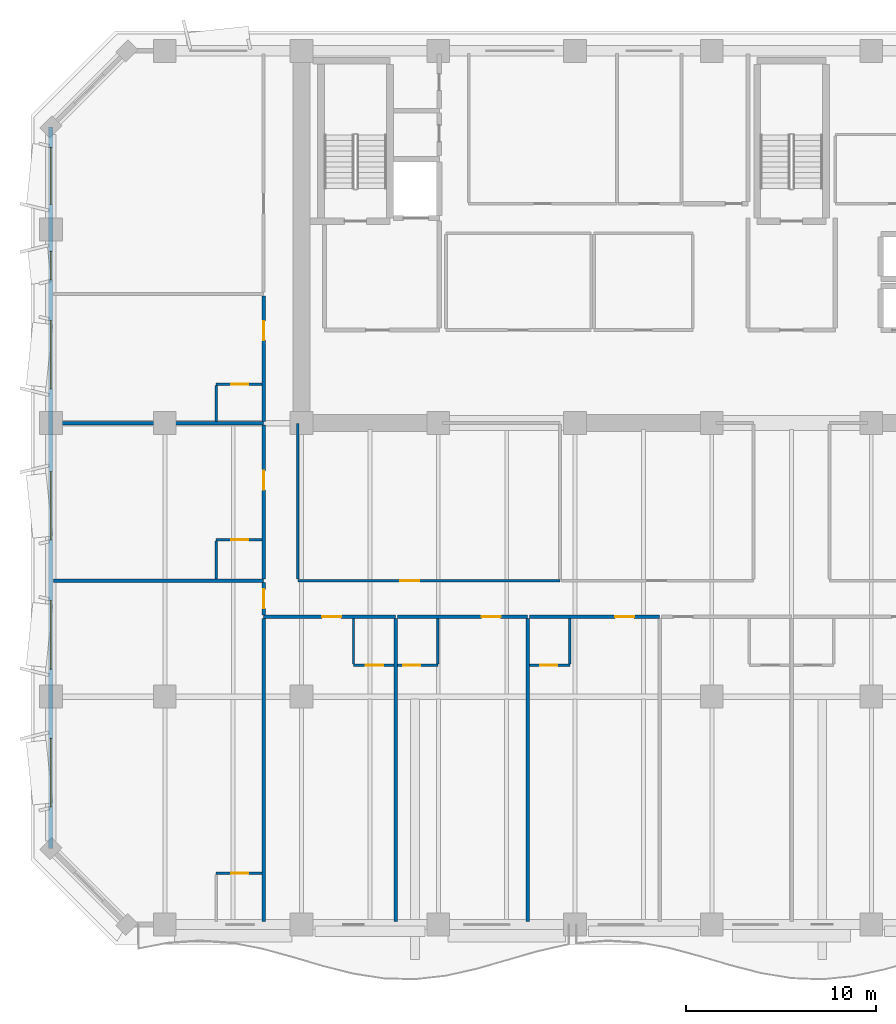
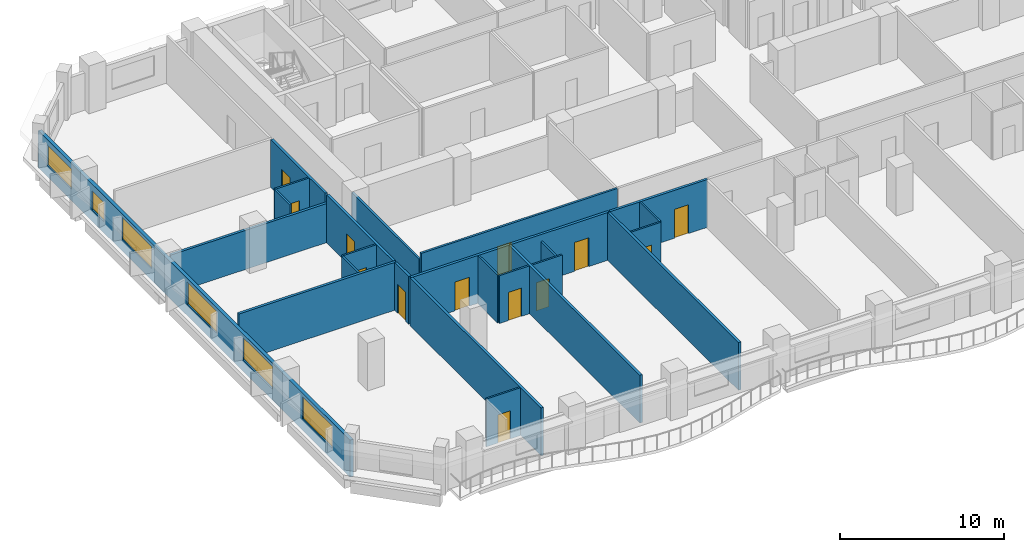
# One storey, part 4 of 14: 25 walls, 13 doors, 6 windows, 19 openings.
"""IFC4 building model written with IfcOpenShell, lengths in metres."""

import ifcopenshell
import ifcopenshell.guid

model = None  # the IFC model being written
_history = None  # IfcOwnerHistory: only IFC2X3 demands one
_inside = {}  # id of a spatial element -> (the spatial element, [elements in it])
_under = {}  # id of a project, library or spatial element -> (it, [spatial elements below it])
_declared = {}  # id of a project -> (the project, [libraries it declares])
_typed = {}  # id of a type object -> (the type object, [elements of that type])
_made_of = {}  # id of a material, layer set ... -> (it, [elements and type objects made of it])


def new_model(schema):
    """Start an empty IFC model of exactly this schema.

    Asked for "IFC4X3", IfcOpenShell would pick the latest addendum, in which some entities
    have other attributes; the version numbers below select the first issue.
    IFC2X3 requires an IfcOwnerHistory on every rooted entity: one is made here for all.
    """
    global model, _history
    if schema == "IFC4X3":
        model = ifcopenshell.file(schema_version=(4, 3, 0, 0))
    else:
        model = ifcopenshell.file(schema=schema)
    _inside.clear()
    _under.clear()
    _declared.clear()
    _typed.clear()
    _made_of.clear()
    _history = None
    if model.schema == "IFC2X3":
        org = make("IfcOrganization", Name="unknown")
        user = make(
            "IfcPersonAndOrganization",
            ThePerson=make("IfcPerson", FamilyName="unknown"),
            TheOrganization=org,
        )
        app = make(
            "IfcApplication",
            ApplicationDeveloper=org,
            Version="unknown",
            ApplicationFullName="unknown",
            ApplicationIdentifier="unknown",
        )
        _history = make(
            "IfcOwnerHistory",
            OwningUser=user,
            OwningApplication=app,
            ChangeAction="ADDED",
            CreationDate=0,
        )
    return model


def make(cls, **values):
    """One entity of the class cls with the attributes given. An attribute that is None is left unset."""
    return model.create_entity(
        cls, **{name: value for name, value in values.items() if value is not None}
    )


def rooted(cls, **values):
    """An entity with a GlobalId (a new one), such as an element, a storey or a relation."""
    return make(cls, GlobalId=ifcopenshell.guid.new(), OwnerHistory=_history, **values)


def si_unit(unit_type, name, prefix=None):
    """IfcSIUnit, for example si_unit("LENGTHUNIT", "METRE", prefix="MILLI")."""
    return make("IfcSIUnit", UnitType=unit_type, Prefix=prefix, Name=name)


def assignment(units):
    """IfcUnitAssignment: the units of a project."""
    return None if units is None else make("IfcUnitAssignment", Units=units)


def point(xyz):
    """IfcCartesianPoint."""
    return None if xyz is None else make("IfcCartesianPoint", Coordinates=xyz)


def direction(xyz):
    """IfcDirection."""
    return None if xyz is None else make("IfcDirection", DirectionRatios=xyz)


def frame(location, z_axis=None, x_axis=None):
    """IfcAxis2Placement3D, a coordinate frame: its origin and axes. An axis left out is left unset."""
    return make(
        "IfcAxis2Placement3D",
        Location=point(location),
        Axis=direction(z_axis),
        RefDirection=direction(x_axis),
    )


def frame_2d(location, x_axis=None):
    """IfcAxis2Placement2D, a coordinate frame in the plane: its origin and x axis."""
    return make(
        "IfcAxis2Placement2D", Location=point(location), RefDirection=direction(x_axis)
    )


def origin():
    """The frame at (0, 0, 0) with its axes left unset."""
    return frame((0.0, 0.0, 0.0))


def place(relative_to, where):
    """IfcLocalPlacement: puts the frame where relative to a parent placement (None: the world)."""
    return make(
        "IfcLocalPlacement", PlacementRelTo=relative_to, RelativePlacement=where
    )


def context(
    kind, dimensions, precision=None, world=None, true_north=None, identifier=None
):
    """IfcGeometricRepresentationContext, for example the 3D "Model" context."""
    return make(
        "IfcGeometricRepresentationContext",
        ContextIdentifier=identifier,
        ContextType=kind,
        CoordinateSpaceDimension=dimensions,
        Precision=precision,
        WorldCoordinateSystem=world,
        TrueNorth=true_north,
    )


def subcontext(parent, identifier, kind, view, scale=None):
    """IfcGeometricRepresentationSubContext, for example "Body" below "Model"."""
    return make(
        "IfcGeometricRepresentationSubContext",
        ContextIdentifier=identifier,
        ContextType=kind,
        ParentContext=parent,
        TargetScale=scale,
        TargetView=view,
    )


def project(units=None, contexts=None):
    """IfcProject with its units and contexts."""
    return rooted(
        "IfcProject",
        Name="project",
        RepresentationContexts=contexts,
        UnitsInContext=assignment(units),
    )


def spatial(cls, under=None, at=None, **own):
    """A site, building, storey or space (cls), placed at a placement, below another one or the project."""
    s = rooted(cls, ObjectPlacement=at, **own)
    if under is not None:
        _under.setdefault(under.id(), (under, []))[1].append(s)
    return s


def profile(cls, at=None, kind="AREA", **sizes):
    """A parametric profile (cls). Its sizes go by their IFC names, for example OverallWidth=200.0."""
    return make(cls, ProfileType=kind, Position=at, **sizes)


def rectangle(**sizes):
    """IfcRectangleProfileDef."""
    return profile("IfcRectangleProfileDef", **sizes)


def extrude(swept, where, along, depth):
    """IfcExtrudedAreaSolid: the profile swept, set in the frame where, extruded along a direction by depth."""
    return make(
        "IfcExtrudedAreaSolid",
        SweptArea=swept,
        Position=where,
        ExtrudedDirection=direction(along),
        Depth=depth,
    )


def shape(context_of_items, identifier, shape_type, items):
    """IfcShapeRepresentation: the items that make up one representation, for example the "Body"."""
    return make(
        "IfcShapeRepresentation",
        ContextOfItems=context_of_items,
        RepresentationIdentifier=identifier,
        RepresentationType=shape_type,
        Items=items,
    )


def material(Name=None, Category=None):
    """IfcMaterial."""
    return make("IfcMaterial", Name=Name, Category=Category)


def layer(
    of_material, thickness, ventilated=None, Name=None, Category=None, Priority=None
):
    """IfcMaterialLayer: one layer of a wall or slab, of a material (None: an air gap)."""
    return make(
        "IfcMaterialLayer",
        Material=of_material,
        LayerThickness=thickness,
        IsVentilated=ventilated,
        Name=Name,
        Category=Category,
        Priority=Priority,
    )


def layer_set(layers, Name=None):
    """IfcMaterialLayerSet."""
    return make("IfcMaterialLayerSet", MaterialLayers=layers, LayerSetName=Name)


def made_of(thing, what):
    """Note that an element or type object is made of a material, layer set ...; save() writes the relation."""
    if what is not None:
        _made_of.setdefault(what.id(), (what, []))[1].append(thing)
    return thing


def type_object(cls, material=None, **own):
    """A type object (cls), such as IfcWallType, which elements share."""
    return made_of(rooted(cls, **own), material)


def element(
    cls,
    number,
    at=None,
    inside=None,
    cuts=None,
    type_object=None,
    material=None,
    context=None,
    identifier="Body",
    shape_type=None,
    held_by="IfcProductDefinitionShape",
    body=None,
    shapes=None,
    **own,
):
    """One element of the class cls, such as IfcWall. Its Tag is "e" and its number.

    at: its placement. inside: the storey or other place that contains it. cuts: it is an
    opening in that element (IfcRelVoidsElement). A single representation is given by context,
    identifier, shape_type and body (its items); several are given by shapes. held_by: the class
    of the entity that holds the representations. save() writes the other relations.
    """
    e = rooted(cls, Tag="e%d" % number, ObjectPlacement=at, **own)
    if body is not None:
        shapes = [shape(context, identifier, shape_type, body)]
    if shapes is not None:
        e.Representation = make(held_by, Representations=shapes)
    if inside is not None:
        _inside.setdefault(inside.id(), (inside, []))[1].append(e)
    if cuts is not None:
        rooted(
            "IfcRelVoidsElement", RelatingBuildingElement=cuts, RelatedOpeningElement=e
        )
    if type_object is not None:
        _typed.setdefault(type_object.id(), (type_object, []))[1].append(e)
    return made_of(e, material)


def fill(opening, filler):
    """IfcRelFillsElement: the door or window that sits in an opening."""
    return rooted(
        "IfcRelFillsElement",
        RelatingOpeningElement=opening,
        RelatedBuildingElement=filler,
    )


def aggregate(whole, parts):
    """IfcRelAggregates: a whole, such as a stair, and the parts it consists of."""
    return rooted("IfcRelAggregates", RelatingObject=whole, RelatedObjects=parts)


def save(model, path):
    """Write the relations noted so far, then the file.

    IfcRelAggregates (storeys below a building ...), IfcRelContainedInSpatialStructure (elements
    in a storey), IfcRelDefinesByType, IfcRelAssociatesMaterial and IfcRelDeclares: one each for
    every whole, place, type object, material and project.
    """
    for whole, parts in _under.values():
        aggregate(whole, parts)
    for where, things in _inside.values():
        rooted(
            "IfcRelContainedInSpatialStructure",
            RelatedElements=things,
            RelatingStructure=where,
        )
    for kind, things in _typed.values():
        rooted("IfcRelDefinesByType", RelatedObjects=things, RelatingType=kind)
    for what, things in _made_of.values():
        rooted("IfcRelAssociatesMaterial", RelatedObjects=things, RelatingMaterial=what)
    for by, libraries in _declared.values():
        rooted("IfcRelDeclares", RelatingContext=by, RelatedDefinitions=libraries)
    model.write(path)


model = new_model("IFC4")

# Units and contexts
model_context = context("Model", 3, precision=1e-05, world=origin(), true_north=direction((0.0, 1.0)))
body_context = subcontext(model_context, "Body", "Model", "MODEL_VIEW")
ifc_project = project(units=[si_unit("LENGTHUNIT", "METRE"), si_unit("AREAUNIT", "SQUARE_METRE"), si_unit("VOLUMEUNIT", "CUBIC_METRE"), si_unit("PLANEANGLEUNIT", "RADIAN"), si_unit("MASSUNIT", "GRAM", prefix="KILO")], contexts=[model_context])

# Site, building, storey
site_placement = place(None, origin())
site = spatial("IfcSite", under=ifc_project, at=site_placement, CompositionType="ELEMENT")
building_placement = place(site_placement, origin())
building = spatial("IfcBuilding", under=site, at=building_placement, Name="Kaelvorn Grand Hotel", CompositionType="ELEMENT")
storey_placement = place(building_placement, frame((0.0, 0.0, 169.550048828125)))
storey = spatial("IfcBuildingStorey", under=building, at=storey_placement, Name="L41", CompositionType="ELEMENT", Elevation=169.550048828125)

# Wall, openings, windows
ifc_material_1 = material(Name="Concrete C40/50", Category="concrete")
ifc_layer_1 = layer(ifc_material_1, 0.239990234375)
ifc_layer_set_1 = layer_set([ifc_layer_1], Name="Concrete C40/50")
wall_type_1 = type_object("IfcWallType", Name="WL-EXT-240-C40", PredefinedType="SOLIDWALL", material=ifc_layer_set_1)
wall_1_placement = place(storey_placement, frame((3.0, 45.0, 0.0), z_axis=(0.0, 0.0, 1.0), x_axis=(0.0, -1.0, 0.0)))
wall_1 = element("IfcWall", 1, at=wall_1_placement, inside=storey, type_object=wall_type_1, Name="L41 Exterior Architectural Concrete Wall 07", PredefinedType="SOLIDWALL", context=body_context, shape_type="SweptSolid", body=[
    extrude(rectangle(XDim=38.0, YDim=0.239990234375, at=frame_2d((19.0, 0.0))), origin(), (0.0, 0.0, 1.0), 2.760009765625),
])
opening_1_placement = place(wall_1_placement, frame((32.199951171875, 0.0, 0.85009765625)))
opening_1 = element("IfcOpeningElement", 2, at=opening_1_placement, cuts=wall_1, Name="Opening W3", PredefinedType="OPENING", context=body_context, shape_type="SweptSolid", body=[
    extrude(rectangle(XDim=3.60009765625, YDim=1.64990234375, at=frame_2d((1.800048828125, 0.824951171875))), frame((0.0, 0.1298828125, 0.0), z_axis=(0.0, -1.0, 0.0), x_axis=(1.0, 0.0, 0.0)), (0.0, 0.0, 1.0), 0.260009765625),
])
opening_2_placement = place(wall_1_placement, frame((24.949951171875, 0.0, 0.85009765625)))
opening_2 = element("IfcOpeningElement", 3, at=opening_2_placement, cuts=wall_1, Name="Opening W3", PredefinedType="OPENING", context=body_context, shape_type="SweptSolid", body=[
    extrude(rectangle(XDim=3.60009765625, YDim=1.64990234375, at=frame_2d((1.800048828125, 0.824951171875))), frame((0.0, 0.1298828125, 0.0), z_axis=(0.0, -1.0, 0.0), x_axis=(1.0, 0.0, 0.0)), (0.0, 0.0, 1.0), 0.260009765625),
])
opening_3_placement = place(wall_1_placement, frame((18.14990234375, 0.0, 0.85009765625)))
opening_3 = element("IfcOpeningElement", 4, at=opening_3_placement, cuts=wall_1, Name="Opening W3", PredefinedType="OPENING", context=body_context, shape_type="SweptSolid", body=[
    extrude(rectangle(XDim=3.60009765625, YDim=1.64990234375, at=frame_2d((1.800048828125, 0.824951171875))), frame((0.0, 0.1298828125, 0.0), z_axis=(0.0, -1.0, 0.0), x_axis=(1.0, 0.0, 0.0)), (0.0, 0.0, 1.0), 0.260009765625),
])
opening_4_placement = place(wall_1_placement, frame((10.199951171875, 0.0, 0.85009765625)))
opening_4 = element("IfcOpeningElement", 5, at=opening_4_placement, cuts=wall_1, Name="Opening W3", PredefinedType="OPENING", context=body_context, shape_type="SweptSolid", body=[
    extrude(rectangle(XDim=3.60009765625, YDim=1.64990234375, at=frame_2d((1.800048828125, 0.824951171875))), frame((0.0, 0.1298828125, 0.0), z_axis=(0.0, -1.0, 0.0), x_axis=(1.0, 0.0, 0.0)), (0.0, 0.0, 1.0), 0.260009765625),
])
opening_5_placement = place(wall_1_placement, frame((6.550048828125, 0.0, 0.85009765625)))
opening_5 = element("IfcOpeningElement", 6, at=opening_5_placement, cuts=wall_1, Name="Opening W10", PredefinedType="OPENING", context=body_context, shape_type="SweptSolid", body=[
    extrude(rectangle(XDim=1.5, YDim=1.39990234375, at=frame_2d((0.75, 0.699951171875))), frame((0.0, 0.1298828125, 0.0), z_axis=(0.0, -1.0, 0.0), x_axis=(1.0, 0.0, 0.0)), (0.0, 0.0, 1.0), 0.260009765625),
])
opening_6_placement = place(wall_1_placement, frame((1.0849609375, 0.0, 0.85009765625)))
opening_6 = element("IfcOpeningElement", 7, at=opening_6_placement, cuts=wall_1, Name="Opening W5", PredefinedType="OPENING", context=body_context, shape_type="SweptSolid", body=[
    extrude(rectangle(XDim=3.0, YDim=1.5, at=frame_2d((1.5, 0.75))), frame((0.0, 0.1298828125, 0.0), z_axis=(0.0, -1.0, 0.0), x_axis=(1.0, 0.0, 0.0)), (0.0, 0.0, 1.0), 0.260009765625),
])
ifc_material_2 = material(Name="Laminated Low-E Glass", Category="glass")
window_type_1 = type_object("IfcWindowType", Name="WIN-COR-1500x1400", PartitioningType="SINGLE_PANEL", PredefinedType="WINDOW", material=ifc_material_2)
window_1_placement = place(opening_5_placement, origin())
window_1 = element("IfcWindow", 8, at=window_1_placement, inside=storey, type_object=window_type_1, Name="L41 W Wing Tilted-Frame Ribbon Window W05", OverallHeight=1.39990234375, OverallWidth=1.5, PartitioningType="SINGLE_PANEL", PredefinedType="WINDOW", context=body_context, shape_type="SweptSolid", body=[
    extrude(rectangle(XDim=1.5, YDim=1.39990234375, at=frame_2d((0.75, 0.699951171875))), frame((0.0, 0.030029296875, 0.0), z_axis=(0.0, -1.0, 0.0), x_axis=(1.0, 0.0, 0.0)), (0.0, 0.0, 1.0), 0.06005859375),
])
fill(opening_5, window_1)
window_type_2 = type_object("IfcWindowType", Name="WIN-NTH-3000x1500", PartitioningType="SINGLE_PANEL", PredefinedType="WINDOW", material=ifc_material_2)
window_2_placement = place(opening_6_placement, origin())
window_2 = element("IfcWindow", 9, at=window_2_placement, inside=storey, type_object=window_type_2, Name="L41 W Wing Tilted-Frame Ribbon Window W06", OverallHeight=1.5, OverallWidth=3.0, PartitioningType="SINGLE_PANEL", PredefinedType="WINDOW", context=body_context, shape_type="SweptSolid", body=[
    extrude(rectangle(XDim=3.0, YDim=1.5, at=frame_2d((1.5, 0.75))), frame((0.0, 0.030029296875, 0.0), z_axis=(0.0, -1.0, 0.0), x_axis=(1.0, 0.0, 0.0)), (0.0, 0.0, 1.0), 0.06005859375),
])
fill(opening_6, window_2)
window_type_3 = type_object("IfcWindowType", Name="WIN-RIB-3600x1750", PartitioningType="SINGLE_PANEL", PredefinedType="WINDOW", material=ifc_material_2)
window_3_placement = place(opening_1_placement, origin())
window_3 = element("IfcWindow", 10, at=window_3_placement, inside=storey, type_object=window_type_3, Name="L41 W Wing Tilted-Frame Ribbon Window W01", OverallHeight=1.64990234375, OverallWidth=3.60009765625, PartitioningType="SINGLE_PANEL", PredefinedType="WINDOW", context=body_context, shape_type="SweptSolid", body=[
    extrude(rectangle(XDim=3.60009765625, YDim=1.64990234375, at=frame_2d((1.800048828125, 0.824951171875))), frame((0.0, 0.030029296875, 0.0), z_axis=(0.0, -1.0, 0.0), x_axis=(1.0, 0.0, 0.0)), (0.0, 0.0, 1.0), 0.06005859375),
])
fill(opening_1, window_3)
window_4_placement = place(opening_2_placement, origin())
window_4 = element("IfcWindow", 11, at=window_4_placement, inside=storey, type_object=window_type_3, Name="L41 W Wing Tilted-Frame Ribbon Window W02", OverallHeight=1.64990234375, OverallWidth=3.60009765625, PartitioningType="SINGLE_PANEL", PredefinedType="WINDOW", context=body_context, shape_type="SweptSolid", body=[
    extrude(rectangle(XDim=3.60009765625, YDim=1.64990234375, at=frame_2d((1.800048828125, 0.824951171875))), frame((0.0, 0.030029296875, 0.0), z_axis=(0.0, -1.0, 0.0), x_axis=(1.0, 0.0, 0.0)), (0.0, 0.0, 1.0), 0.06005859375),
])
fill(opening_2, window_4)
window_5_placement = place(opening_3_placement, origin())
window_5 = element("IfcWindow", 12, at=window_5_placement, inside=storey, type_object=window_type_3, Name="L41 W Wing Tilted-Frame Ribbon Window W03", OverallHeight=1.64990234375, OverallWidth=3.60009765625, PartitioningType="SINGLE_PANEL", PredefinedType="WINDOW", context=body_context, shape_type="SweptSolid", body=[
    extrude(rectangle(XDim=3.60009765625, YDim=1.64990234375, at=frame_2d((1.800048828125, 0.824951171875))), frame((0.0, 0.030029296875, 0.0), z_axis=(0.0, -1.0, 0.0), x_axis=(1.0, 0.0, 0.0)), (0.0, 0.0, 1.0), 0.06005859375),
])
fill(opening_3, window_5)
window_6_placement = place(opening_4_placement, origin())
window_6 = element("IfcWindow", 13, at=window_6_placement, inside=storey, type_object=window_type_3, Name="L41 W Wing Tilted-Frame Ribbon Window W04", OverallHeight=1.64990234375, OverallWidth=3.60009765625, PartitioningType="SINGLE_PANEL", PredefinedType="WINDOW", context=body_context, shape_type="SweptSolid", body=[
    extrude(rectangle(XDim=3.60009765625, YDim=1.64990234375, at=frame_2d((1.800048828125, 0.824951171875))), frame((0.0, 0.030029296875, 0.0), z_axis=(0.0, -1.0, 0.0), x_axis=(1.0, 0.0, 0.0)), (0.0, 0.0, 1.0), 0.06005859375),
])
fill(opening_4, window_6)

# Wall, opening, door
ifc_material_3 = material(Name="Moisture-Resistant Tile & Stud Board")
ifc_layer_2 = layer(ifc_material_3, 0.125)
ifc_layer_set_2 = layer_set([ifc_layer_2], Name="Moisture-Resistant Tile & Stud Board")
wall_type_2 = type_object("IfcWallType", Name="WL-PART-125-WET", PredefinedType="PARTITIONING", material=ifc_layer_set_2)
wall_2_placement = place(storey_placement, frame((18.929931640625, 16.64990234375, 0.0), z_axis=(0.0, 0.0, 1.0), x_axis=(1.0, 0.0, 0.0)))
wall_2 = element("IfcWall", 14, at=wall_2_placement, inside=storey, type_object=wall_type_2, Name="L41 En-suite Bathroom L41-01 S Partition", PredefinedType="PARTITIONING", context=body_context, shape_type="SweptSolid", body=[
    extrude(rectangle(XDim=2.125, YDim=0.125, at=frame_2d((1.0625, 0.0))), origin(), (0.0, 0.0, 1.0), 3.56005859375),
])
opening_7_placement = place(wall_2_placement, frame((0.659912109375, 0.0, 0.0)))
opening_7 = element("IfcOpeningElement", 15, at=opening_7_placement, cuts=wall_2, Name="Opening DI4", PredefinedType="OPENING", context=body_context, shape_type="SweptSolid", body=[
    extrude(rectangle(XDim=0.89990234375, YDim=2.10009765625, at=frame_2d((0.449951171875, 1.050048828125))), frame((0.0, 0.072509765625, 0.0), z_axis=(0.0, -1.0, 0.0), x_axis=(1.0, 0.0, 0.0)), (0.0, 0.0, 1.0), 0.14501953125),
])
ifc_material_4 = material(Name="Timber Veneer Leaf", Category="wood")
door_type_1 = type_object("IfcDoorType", Name="DR-INT-BATH-900x2100", OperationType="NOTDEFINED", PredefinedType="DOOR", material=ifc_material_4)
door_1_placement = place(opening_7_placement, origin())
door_1 = element("IfcDoor", 16, at=door_1_placement, inside=storey, type_object=door_type_1, Name="L41 En-suite Bathroom L41-01 Door", OperationType="SINGLE_SWING_RIGHT", OverallHeight=2.10009765625, OverallWidth=0.89990234375, PredefinedType="DOOR", context=body_context, shape_type="SweptSolid", body=[
    extrude(rectangle(XDim=0.89990234375, YDim=2.10009765625, at=frame_2d((0.449951171875, 1.050048828125))), frame((0.0, 0.02490234375, 0.0), z_axis=(0.0, -1.0, 0.0), x_axis=(1.0, 0.0, 0.0)), (0.0, 0.0, 1.0), 0.050048828125),
])
fill(opening_7, door_1)

# Wall
wall_3_placement = place(storey_placement, frame((18.929931640625, 16.717529296875, 0.0), z_axis=(0.0, 0.0, 1.0), x_axis=(0.0, 1.0, 0.0)))
element("IfcWall", 17, at=wall_3_placement, inside=storey, type_object=wall_type_2, Name="L41 En-suite Bathroom L41-01 W Partition", PredefinedType="PARTITIONING", context=body_context, shape_type="SweptSolid", body=[
    extrude(rectangle(XDim=2.387451171875, YDim=0.125, at=frame_2d((1.19384765625, 0.0))), origin(), (0.0, 0.0, 1.0), 3.56005859375),
])

# Wall, opening, door
wall_4_placement = place(storey_placement, frame((21.2451171875, 16.64990234375, 0.0), z_axis=(0.0, 0.0, 1.0), x_axis=(1.0, 0.0, 0.0)))
wall_4 = element("IfcWall", 18, at=wall_4_placement, inside=storey, type_object=wall_type_2, Name="L41 En-suite Bathroom L41-02 S Partition", PredefinedType="PARTITIONING", context=body_context, shape_type="SweptSolid", body=[
    extrude(rectangle(XDim=2.125, YDim=0.125, at=frame_2d((1.0625, 0.0))), origin(), (0.0, 0.0, 1.0), 3.56005859375),
])
opening_8_placement = place(wall_4_placement, frame((0.31494140625, 0.0, 0.0)))
opening_8 = element("IfcOpeningElement", 19, at=opening_8_placement, cuts=wall_4, Name="Opening DI4", PredefinedType="OPENING", context=body_context, shape_type="SweptSolid", body=[
    extrude(rectangle(XDim=0.89990234375, YDim=2.10009765625, at=frame_2d((0.449951171875, 1.050048828125))), frame((0.0, 0.072509765625, 0.0), z_axis=(0.0, -1.0, 0.0), x_axis=(1.0, 0.0, 0.0)), (0.0, 0.0, 1.0), 0.14501953125),
])
door_2_placement = place(opening_8_placement, origin())
door_2 = element("IfcDoor", 20, at=door_2_placement, inside=storey, type_object=door_type_1, Name="L41 En-suite Bathroom L41-02 Door", OperationType="SINGLE_SWING_RIGHT", OverallHeight=2.10009765625, OverallWidth=0.89990234375, PredefinedType="DOOR", context=body_context, shape_type="SweptSolid", body=[
    extrude(rectangle(XDim=0.89990234375, YDim=2.10009765625, at=frame_2d((0.449951171875, 1.050048828125))), frame((0.0, 0.02490234375, 0.0), z_axis=(0.0, -1.0, 0.0), x_axis=(1.0, 0.0, 0.0)), (0.0, 0.0, 1.0), 0.050048828125),
])
fill(opening_8, door_2)

# Wall
wall_5_placement = place(storey_placement, frame((23.3701171875, 16.717529296875, 0.0), z_axis=(0.0, 0.0, 1.0), x_axis=(0.0, 1.0, 0.0)))
element("IfcWall", 21, at=wall_5_placement, inside=storey, type_object=wall_type_2, Name="L41 En-suite Bathroom L41-02 E Partition", PredefinedType="PARTITIONING", context=body_context, shape_type="SweptSolid", body=[
    extrude(rectangle(XDim=2.387451171875, YDim=0.125, at=frame_2d((1.19384765625, 0.0))), origin(), (0.0, 0.0, 1.0), 3.06005859375),
])

# Wall, opening, door
wall_6_placement = place(storey_placement, frame((28.195068359375, 16.64990234375, 0.0), z_axis=(0.0, 0.0, 1.0), x_axis=(1.0, 0.0, 0.0)))
wall_6 = element("IfcWall", 22, at=wall_6_placement, inside=storey, type_object=wall_type_2, Name="L41 En-suite Bathroom L41-03 S Partition", PredefinedType="PARTITIONING", context=body_context, shape_type="SweptSolid", body=[
    extrude(rectangle(XDim=2.125, YDim=0.125, at=frame_2d((1.0625, 0.0))), origin(), (0.0, 0.0, 1.0), 3.56005859375),
])
opening_9_placement = place(wall_6_placement, frame((0.56494140625, 0.0, 0.0)))
opening_9 = element("IfcOpeningElement", 23, at=opening_9_placement, cuts=wall_6, Name="Opening DI4", PredefinedType="OPENING", context=body_context, shape_type="SweptSolid", body=[
    extrude(rectangle(XDim=0.89990234375, YDim=2.10009765625, at=frame_2d((0.449951171875, 1.050048828125))), frame((0.0, 0.072509765625, 0.0), z_axis=(0.0, -1.0, 0.0), x_axis=(1.0, 0.0, 0.0)), (0.0, 0.0, 1.0), 0.14501953125),
])
door_3_placement = place(opening_9_placement, origin())
door_3 = element("IfcDoor", 24, at=door_3_placement, inside=storey, type_object=door_type_1, Name="L41 En-suite Bathroom L41-03 Door", OperationType="SINGLE_SWING_RIGHT", OverallHeight=2.10009765625, OverallWidth=0.89990234375, PredefinedType="DOOR", context=body_context, shape_type="SweptSolid", body=[
    extrude(rectangle(XDim=0.89990234375, YDim=2.10009765625, at=frame_2d((0.449951171875, 1.050048828125))), frame((0.0, 0.02490234375, 0.0), z_axis=(0.0, -1.0, 0.0), x_axis=(1.0, 0.0, 0.0)), (0.0, 0.0, 1.0), 0.050048828125),
])
fill(opening_9, door_3)

# Wall
wall_7_placement = place(storey_placement, frame((30.320068359375, 16.717529296875, 0.0), z_axis=(0.0, 0.0, 1.0), x_axis=(0.0, 1.0, 0.0)))
element("IfcWall", 25, at=wall_7_placement, inside=storey, type_object=wall_type_2, Name="L41 En-suite Bathroom L41-03 E Partition", PredefinedType="PARTITIONING", context=body_context, shape_type="SweptSolid", body=[
    extrude(rectangle(XDim=2.387451171875, YDim=0.125, at=frame_2d((1.19384765625, 0.0))), origin(), (0.0, 0.0, 1.0), 3.56005859375),
])

# Wall, opening, door
wall_8_placement = place(storey_placement, frame((11.699951171875, 5.699951171875, 0.0), z_axis=(0.0, 0.0, 1.0), x_axis=(1.0, 0.0, 0.0)))
wall_8 = element("IfcWall", 26, at=wall_8_placement, inside=storey, type_object=wall_type_2, Name="L41 En-suite Bathroom L41-09 N Partition", PredefinedType="PARTITIONING", context=body_context, shape_type="SweptSolid", body=[
    extrude(rectangle(XDim=2.405029296875, YDim=0.125, at=frame_2d((1.20263671875, 0.0))), origin(), (0.0, 0.0, 1.0), 3.56005859375),
])
opening_10_placement = place(wall_8_placement, frame((0.800048828125, 0.0, 0.0)))
opening_10 = element("IfcOpeningElement", 27, at=opening_10_placement, cuts=wall_8, Name="Opening DI4", PredefinedType="OPENING", context=body_context, shape_type="SweptSolid", body=[
    extrude(rectangle(XDim=0.89990234375, YDim=2.10009765625, at=frame_2d((0.449951171875, 1.050048828125))), frame((0.0, 0.072509765625, 0.0), z_axis=(0.0, -1.0, 0.0), x_axis=(1.0, 0.0, 0.0)), (0.0, 0.0, 1.0), 0.14501953125),
])
door_4_placement = place(opening_10_placement, origin())
door_4 = element("IfcDoor", 28, at=door_4_placement, inside=storey, type_object=door_type_1, Name="L41 En-suite Bathroom L41-09 Door", OperationType="SINGLE_SWING_RIGHT", OverallHeight=2.10009765625, OverallWidth=0.89990234375, PredefinedType="DOOR", context=body_context, shape_type="SweptSolid", body=[
    extrude(rectangle(XDim=0.89990234375, YDim=2.10009765625, at=frame_2d((0.449951171875, 1.050048828125))), frame((0.0, 0.02490234375, 0.0), z_axis=(0.0, -1.0, 0.0), x_axis=(1.0, 0.0, 0.0)), (0.0, 0.0, 1.0), 0.050048828125),
])
fill(opening_10, door_4)

wall_9_placement = place(storey_placement, frame((11.699951171875, 23.260009765625, 0.0), z_axis=(0.0, 0.0, 1.0), x_axis=(1.0, 0.0, 0.0)))
wall_9 = element("IfcWall", 29, at=wall_9_placement, inside=storey, type_object=wall_type_2, Name="L41 En-suite Bathroom L41-10 N Partition", PredefinedType="PARTITIONING", context=body_context, shape_type="SweptSolid", body=[
    extrude(rectangle(XDim=2.405029296875, YDim=0.125, at=frame_2d((1.20263671875, 0.0))), origin(), (0.0, 0.0, 1.0), 3.56005859375),
])
opening_11_placement = place(wall_9_placement, frame((0.800048828125, 0.0, 0.0)))
opening_11 = element("IfcOpeningElement", 30, at=opening_11_placement, cuts=wall_9, Name="Opening DI4", PredefinedType="OPENING", context=body_context, shape_type="SweptSolid", body=[
    extrude(rectangle(XDim=0.89990234375, YDim=2.10009765625, at=frame_2d((0.449951171875, 1.050048828125))), frame((0.0, 0.072509765625, 0.0), z_axis=(0.0, -1.0, 0.0), x_axis=(1.0, 0.0, 0.0)), (0.0, 0.0, 1.0), 0.14501953125),
])
door_5_placement = place(opening_11_placement, origin())
door_5 = element("IfcDoor", 31, at=door_5_placement, inside=storey, type_object=door_type_1, Name="L41 En-suite Bathroom L41-10 Door", OperationType="SINGLE_SWING_RIGHT", OverallHeight=2.10009765625, OverallWidth=0.89990234375, PredefinedType="DOOR", context=body_context, shape_type="SweptSolid", body=[
    extrude(rectangle(XDim=0.89990234375, YDim=2.10009765625, at=frame_2d((0.449951171875, 1.050048828125))), frame((0.0, 0.02490234375, 0.0), z_axis=(0.0, -1.0, 0.0), x_axis=(1.0, 0.0, 0.0)), (0.0, 0.0, 1.0), 0.050048828125),
])
fill(opening_11, door_5)

# Wall
wall_10_placement = place(storey_placement, frame((11.699951171875, 21.195068359375, 0.0), z_axis=(0.0, 0.0, 1.0), x_axis=(0.0, 1.0, 0.0)))
element("IfcWall", 32, at=wall_10_placement, inside=storey, type_object=wall_type_2, Name="L41 En-suite Bathroom L41-10 W Partition", PredefinedType="PARTITIONING", context=body_context, shape_type="SweptSolid", body=[
    extrude(rectangle(XDim=1.997314453125, YDim=0.125, at=frame_2d((0.99853515625, 0.0))), origin(), (0.0, 0.0, 1.0), 3.56005859375),
])

# Wall, opening, door
wall_11_placement = place(storey_placement, frame((11.699951171875, 31.449951171875, 0.0), z_axis=(0.0, 0.0, 1.0), x_axis=(1.0, 0.0, 0.0)))
wall_11 = element("IfcWall", 33, at=wall_11_placement, inside=storey, type_object=wall_type_2, Name="L41 En-suite Bathroom L41-13 N Partition", PredefinedType="PARTITIONING", context=body_context, shape_type="SweptSolid", body=[
    extrude(rectangle(XDim=2.405029296875, YDim=0.125, at=frame_2d((1.20263671875, 0.0))), origin(), (0.0, 0.0, 1.0), 3.56005859375),
])
opening_12_placement = place(wall_11_placement, frame((0.800048828125, 0.0, 0.0)))
opening_12 = element("IfcOpeningElement", 34, at=opening_12_placement, cuts=wall_11, Name="Opening DI4", PredefinedType="OPENING", context=body_context, shape_type="SweptSolid", body=[
    extrude(rectangle(XDim=0.89990234375, YDim=2.10009765625, at=frame_2d((0.449951171875, 1.050048828125))), frame((0.0, 0.072509765625, 0.0), z_axis=(0.0, -1.0, 0.0), x_axis=(1.0, 0.0, 0.0)), (0.0, 0.0, 1.0), 0.14501953125),
])
door_6_placement = place(opening_12_placement, origin())
door_6 = element("IfcDoor", 35, at=door_6_placement, inside=storey, type_object=door_type_1, Name="L41 En-suite Bathroom L41-13 Door", OperationType="SINGLE_SWING_RIGHT", OverallHeight=2.10009765625, OverallWidth=0.89990234375, PredefinedType="DOOR", context=body_context, shape_type="SweptSolid", body=[
    extrude(rectangle(XDim=0.89990234375, YDim=2.10009765625, at=frame_2d((0.449951171875, 1.050048828125))), frame((0.0, 0.02490234375, 0.0), z_axis=(0.0, -1.0, 0.0), x_axis=(1.0, 0.0, 0.0)), (0.0, 0.0, 1.0), 0.050048828125),
])
fill(opening_12, door_6)

# Wall
wall_12_placement = place(storey_placement, frame((11.699951171875, 29.4951171875, 0.0), z_axis=(0.0, 0.0, 1.0), x_axis=(0.0, 1.0, 0.0)))
element("IfcWall", 36, at=wall_12_placement, inside=storey, type_object=wall_type_2, Name="L41 En-suite Bathroom L41-13 W Partition", PredefinedType="PARTITIONING", context=body_context, shape_type="SweptSolid", body=[
    extrude(rectangle(XDim=1.887451171875, YDim=0.125, at=frame_2d((0.94384765625, 0.0))), origin(), (0.0, 0.0, 1.0), 3.56005859375),
])

# Wall, opening, door
ifc_material_5 = material(Name="Acoustic Gypsum & Stud Partition")
ifc_layer_3 = layer(ifc_material_5, 0.14990234375)
ifc_layer_set_3 = layer_set([ifc_layer_3], Name="Acoustic Gypsum & Stud Partition")
wall_type_3 = type_object("IfcWallType", Name="WL-PART-150-EI60", PredefinedType="PARTITIONING", material=ifc_layer_set_3)
wall_13_placement = place(storey_placement, frame((16.0, 21.10009765625, 0.0), z_axis=(0.0, 0.0, 1.0), x_axis=(1.0, 0.0, 0.0)))
wall_13 = element("IfcWall", 37, at=wall_13_placement, inside=storey, type_object=wall_type_3, Name="L41 Wellness Spa Salon S Partition", PredefinedType="PARTITIONING", context=body_context, shape_type="SweptSolid", body=[
    extrude(rectangle(XDim=13.800048828125, YDim=0.14990234375, at=frame_2d((6.89990234375, 0.0))), origin(), (0.0, 0.0, 1.0), 3.56005859375),
])
opening_13_placement = place(wall_13_placement, frame((5.39990234375, 0.0, 0.0)))
opening_13 = element("IfcOpeningElement", 38, at=opening_13_placement, cuts=wall_13, Name="Opening DI3", PredefinedType="OPENING", context=body_context, shape_type="SweptSolid", body=[
    extrude(rectangle(XDim=1.0, YDim=2.14990234375, at=frame_2d((0.5, 1.074951171875))), frame((0.0, 0.0849609375, 0.0), z_axis=(0.0, -1.0, 0.0), x_axis=(1.0, 0.0, 0.0)), (0.0, 0.0, 1.0), 0.169921875),
])
ifc_material_6 = material(Name="Timber Veneer Fire Leaf", Category="wood")
door_type_2 = type_object("IfcDoorType", Name="DR-INT-GUEST-1000x2150", OperationType="NOTDEFINED", PredefinedType="DOOR", material=ifc_material_6)
door_7_placement = place(opening_13_placement, origin())
door_7 = element("IfcDoor", 39, at=door_7_placement, inside=storey, type_object=door_type_2, Name="L41 Wellness Spa Salon Door", OperationType="SINGLE_SWING_LEFT", OverallHeight=2.14990234375, OverallWidth=1.0, PredefinedType="DOOR", context=body_context, shape_type="SweptSolid", body=[
    extrude(rectangle(XDim=1.0, YDim=2.14990234375, at=frame_2d((0.5, 1.074951171875))), frame((0.0, 0.02490234375, 0.0), z_axis=(0.0, -1.0, 0.0), x_axis=(1.0, 0.0, 0.0)), (0.0, 0.0, 1.0), 0.050048828125),
])
fill(opening_13, door_7)

# Wall
wall_14_placement = place(storey_placement, frame((16.0, 21.179931640625, 0.0), z_axis=(0.0, 0.0, 1.0), x_axis=(0.0, 1.0, 0.0)))
element("IfcWall", 40, at=wall_14_placement, inside=storey, type_object=wall_type_3, Name="L41 Wellness Spa Salon W Partition", PredefinedType="PARTITIONING", context=body_context, shape_type="SweptSolid", body=[
    extrude(rectangle(XDim=8.2099609375, YDim=0.14990234375, at=frame_2d((4.10498046875, 0.0))), origin(), (0.0, 0.0, 1.0), 3.06005859375),
])

# Wall, opening, door
ifc_layer_4 = layer(ifc_material_5, 0.179931640625)
ifc_layer_set_4 = layer_set([ifc_layer_4], Name="Acoustic Gypsum & Stud Partition")
wall_type_4 = type_object("IfcWallType", Name="WL-PART-180-EI60", PredefinedType="PARTITIONING", material=ifc_layer_set_4)
wall_15_placement = place(storey_placement, frame((14.199951171875, 19.199951171875, 0.0), z_axis=(0.0, 0.0, 1.0), x_axis=(1.0, 0.0, 0.0)))
wall_15 = element("IfcWall", 41, at=wall_15_placement, inside=storey, type_object=wall_type_4, Name="L41 Mid-Rise Signature Suite L41-01 N Partition", PredefinedType="PARTITIONING", context=body_context, shape_type="SweptSolid", body=[
    extrude(rectangle(XDim=6.949951171875, YDim=0.179931640625, at=frame_2d((3.47509765625, 0.0))), origin(), (0.0, 0.0, 1.0), 3.56005859375),
])
opening_14_placement = place(wall_15_placement, frame((3.080078125, 0.0, 0.0)))
opening_14 = element("IfcOpeningElement", 42, at=opening_14_placement, cuts=wall_15, Name="Opening DI3", PredefinedType="OPENING", context=body_context, shape_type="SweptSolid", body=[
    extrude(rectangle(XDim=1.0, YDim=2.14990234375, at=frame_2d((0.5, 1.074951171875))), frame((0.0, 0.10009765625, 0.0), z_axis=(0.0, -1.0, 0.0), x_axis=(1.0, 0.0, 0.0)), (0.0, 0.0, 1.0), 0.199951171875),
])
door_8_placement = place(opening_14_placement, origin())
door_8 = element("IfcDoor", 43, at=door_8_placement, inside=storey, type_object=door_type_2, Name="L41 Mid-Rise Signature Suite L41-01 Door", OperationType="SINGLE_SWING_LEFT", OverallHeight=2.14990234375, OverallWidth=1.0, PredefinedType="DOOR", context=body_context, shape_type="SweptSolid", body=[
    extrude(rectangle(XDim=1.0, YDim=2.14990234375, at=frame_2d((0.5, 1.074951171875))), frame((0.0, 0.02490234375, 0.0), z_axis=(0.0, -1.0, 0.0), x_axis=(1.0, 0.0, 0.0)), (0.0, 0.0, 1.0), 0.050048828125),
])
fill(opening_14, door_8)

# Walls
for number, where, z_axis, x_axis, name in (
    (44, (14.199951171875, 3.14990234375, 0.0), (0.0, 0.0, 1.0), (0.0, 1.0, 0.0), "L41 Mid-Rise Signature Suite L41-01 W Partition"),
    (45, (21.14990234375, 3.14990234375, 0.0), (0.0, 0.0, 1.0), (0.0, 1.0, 0.0), "L41 Mid-Rise Signature Suite L41-01 E Partition"),
):
    element("IfcWall", number, at=place(storey_placement, frame(where, z_axis=z_axis, x_axis=x_axis)), inside=storey, type_object=wall_type_4, Name=name, PredefinedType="PARTITIONING", context=body_context, shape_type="SweptSolid", body=[
        extrude(rectangle(XDim=15.955078125, YDim=0.179931640625, at=frame_2d((7.9775390625, 0.0))), origin(), (0.0, 0.0, 1.0), 3.56005859375),
    ])

# Wall, opening, door
wall_16_placement = place(storey_placement, frame((21.2451171875, 19.199951171875, 0.0), z_axis=(0.0, 0.0, 1.0), x_axis=(1.0, 0.0, 0.0)))
wall_16 = element("IfcWall", 46, at=wall_16_placement, inside=storey, type_object=wall_type_4, Name="L41 Mid-Rise Signature Suite L41-02 N Partition", PredefinedType="PARTITIONING", context=body_context, shape_type="SweptSolid", body=[
    extrude(rectangle(XDim=6.85498046875, YDim=0.179931640625, at=frame_2d((3.427490234375, 0.0))), origin(), (0.0, 0.0, 1.0), 3.56005859375),
])
opening_15_placement = place(wall_16_placement, frame((4.43994140625, 0.0, 0.0)))
opening_15 = element("IfcOpeningElement", 47, at=opening_15_placement, cuts=wall_16, Name="Opening DI3", PredefinedType="OPENING", context=body_context, shape_type="SweptSolid", body=[
    extrude(rectangle(XDim=1.0, YDim=2.14990234375, at=frame_2d((0.5, 1.074951171875))), frame((0.0, 0.10009765625, 0.0), z_axis=(0.0, -1.0, 0.0), x_axis=(1.0, 0.0, 0.0)), (0.0, 0.0, 1.0), 0.199951171875),
])
door_9_placement = place(opening_15_placement, origin())
door_9 = element("IfcDoor", 48, at=door_9_placement, inside=storey, type_object=door_type_2, Name="L41 Mid-Rise Signature Suite L41-02 Door", OperationType="SINGLE_SWING_LEFT", OverallHeight=2.14990234375, OverallWidth=1.0, PredefinedType="DOOR", context=body_context, shape_type="SweptSolid", body=[
    extrude(rectangle(XDim=1.0, YDim=2.14990234375, at=frame_2d((0.5, 1.074951171875))), frame((0.0, 0.02490234375, 0.0), z_axis=(0.0, -1.0, 0.0), x_axis=(1.0, 0.0, 0.0)), (0.0, 0.0, 1.0), 0.050048828125),
])
fill(opening_15, door_9)

# Wall
wall_17_placement = place(storey_placement, frame((28.10009765625, 3.14990234375, 0.0), z_axis=(0.0, 0.0, 1.0), x_axis=(0.0, 1.0, 0.0)))
element("IfcWall", 49, at=wall_17_placement, inside=storey, type_object=wall_type_4, Name="L41 Mid-Rise Signature Suite L41-02 E Partition", PredefinedType="PARTITIONING", context=body_context, shape_type="SweptSolid", body=[
    extrude(rectangle(XDim=15.955078125, YDim=0.179931640625, at=frame_2d((7.9775390625, 0.0))), origin(), (0.0, 0.0, 1.0), 3.56005859375),
])

# Wall, opening, door
wall_18_placement = place(storey_placement, frame((28.195068359375, 19.199951171875, 0.0), z_axis=(0.0, 0.0, 1.0), x_axis=(1.0, 0.0, 0.0)))
wall_18 = element("IfcWall", 50, at=wall_18_placement, inside=storey, type_object=wall_type_4, Name="L41 Mid-Rise Signature Suite L41-03 N Partition", PredefinedType="PARTITIONING", context=body_context, shape_type="SweptSolid", body=[
    extrude(rectangle(XDim=6.85498046875, YDim=0.179931640625, at=frame_2d((3.427490234375, 0.0))), origin(), (0.0, 0.0, 1.0), 3.56005859375),
])
opening_16_placement = place(wall_18_placement, frame((4.52001953125, 0.0, 0.0)))
opening_16 = element("IfcOpeningElement", 51, at=opening_16_placement, cuts=wall_18, Name="Opening DI3", PredefinedType="OPENING", context=body_context, shape_type="SweptSolid", body=[
    extrude(rectangle(XDim=1.0, YDim=2.14990234375, at=frame_2d((0.5, 1.074951171875))), frame((0.0, 0.10009765625, 0.0), z_axis=(0.0, -1.0, 0.0), x_axis=(1.0, 0.0, 0.0)), (0.0, 0.0, 1.0), 0.199951171875),
])
door_10_placement = place(opening_16_placement, origin())
door_10 = element("IfcDoor", 52, at=door_10_placement, inside=storey, type_object=door_type_2, Name="L41 Mid-Rise Signature Suite L41-03 Door", OperationType="SINGLE_SWING_LEFT", OverallHeight=2.14990234375, OverallWidth=1.0, PredefinedType="DOOR", context=body_context, shape_type="SweptSolid", body=[
    extrude(rectangle(XDim=1.0, YDim=2.14990234375, at=frame_2d((0.5, 1.074951171875))), frame((0.0, 0.02490234375, 0.0), z_axis=(0.0, -1.0, 0.0), x_axis=(1.0, 0.0, 0.0)), (0.0, 0.0, 1.0), 0.050048828125),
])
fill(opening_16, door_10)

# Wall
wall_19_placement = place(storey_placement, frame((3.14990234375, 21.10009765625, 0.0), z_axis=(0.0, 0.0, 1.0), x_axis=(1.0, 0.0, 0.0)))
element("IfcWall", 53, at=wall_19_placement, inside=storey, type_object=wall_type_4, Name="L41 South-West Chamfer Suite L41-09 N Partition", PredefinedType="PARTITIONING", context=body_context, shape_type="SweptSolid", body=[
    extrude(rectangle(XDim=11.050048828125, YDim=0.179931640625, at=frame_2d((5.52490234375, 0.0))), origin(), (0.0, 0.0, 1.0), 3.56005859375),
])

# Wall, opening, door
wall_20_placement = place(storey_placement, frame((14.199951171875, 19.294921875, 0.0), z_axis=(0.0, 0.0, 1.0), x_axis=(0.0, 1.0, 0.0)))
wall_20 = element("IfcWall", 54, at=wall_20_placement, inside=storey, type_object=wall_type_4, Name="L41 South-West Chamfer Suite L41-09 E Partition", PredefinedType="PARTITIONING", context=body_context, shape_type="SweptSolid", body=[
    extrude(rectangle(XDim=1.7099609375, YDim=0.179931640625, at=frame_2d((0.85498046875, 0.0))), origin(), (0.0, 0.0, 1.0), 3.56005859375),
])
opening_17_placement = place(wall_20_placement, frame((0.35498046875, 0.0, 0.0)))
opening_17 = element("IfcOpeningElement", 55, at=opening_17_placement, cuts=wall_20, Name="Opening DI3", PredefinedType="OPENING", context=body_context, shape_type="SweptSolid", body=[
    extrude(rectangle(XDim=1.0, YDim=2.14990234375, at=frame_2d((0.5, 1.074951171875))), frame((0.0, 0.10009765625, 0.0), z_axis=(0.0, -1.0, 0.0), x_axis=(1.0, 0.0, 0.0)), (0.0, 0.0, 1.0), 0.199951171875),
])
door_11_placement = place(opening_17_placement, origin())
door_11 = element("IfcDoor", 56, at=door_11_placement, inside=storey, type_object=door_type_2, Name="L41 South-West Chamfer Suite L41-09 Door", OperationType="SINGLE_SWING_LEFT", OverallHeight=2.14990234375, OverallWidth=1.0, PredefinedType="DOOR", context=body_context, shape_type="SweptSolid", body=[
    extrude(rectangle(XDim=1.0, YDim=2.14990234375, at=frame_2d((0.5, 1.074951171875))), frame((0.0, 0.02490234375, 0.0), z_axis=(0.0, -1.0, 0.0), x_axis=(1.0, 0.0, 0.0)), (0.0, 0.0, 1.0), 0.050048828125),
])
fill(opening_17, door_11)

# Wall
wall_21_placement = place(storey_placement, frame((3.14990234375, 29.39990234375, 0.0), z_axis=(0.0, 0.0, 1.0), x_axis=(1.0, 0.0, 0.0)))
element("IfcWall", 57, at=wall_21_placement, inside=storey, type_object=wall_type_4, Name="L41 West End Panoramic Suite L41-10 N Partition", PredefinedType="PARTITIONING", context=body_context, shape_type="SweptSolid", body=[
    extrude(rectangle(XDim=11.050048828125, YDim=0.179931640625, at=frame_2d((5.52490234375, 0.0))), origin(), (0.0, 0.0, 1.0), 2.909912109375),
])

# Wall, opening, door
wall_22_placement = place(storey_placement, frame((14.199951171875, 21.195068359375, 0.0), z_axis=(0.0, 0.0, 1.0), x_axis=(0.0, 1.0, 0.0)))
wall_22 = element("IfcWall", 58, at=wall_22_placement, inside=storey, type_object=wall_type_4, Name="L41 West End Panoramic Suite L41-10 E Partition", PredefinedType="PARTITIONING", context=body_context, shape_type="SweptSolid", body=[
    extrude(rectangle(XDim=8.10986328125, YDim=0.179931640625, at=frame_2d((4.054931640625, 0.0))), origin(), (0.0, 0.0, 1.0), 3.56005859375),
])
opening_18_placement = place(wall_22_placement, frame((4.695068359375, 0.0, 0.0)))
opening_18 = element("IfcOpeningElement", 59, at=opening_18_placement, cuts=wall_22, Name="Opening DI3", PredefinedType="OPENING", context=body_context, shape_type="SweptSolid", body=[
    extrude(rectangle(XDim=1.0, YDim=2.14990234375, at=frame_2d((0.5, 1.074951171875))), frame((0.0, 0.10009765625, 0.0), z_axis=(0.0, -1.0, 0.0), x_axis=(1.0, 0.0, 0.0)), (0.0, 0.0, 1.0), 0.199951171875),
])
door_12_placement = place(opening_18_placement, origin())
door_12 = element("IfcDoor", 60, at=door_12_placement, inside=storey, type_object=door_type_2, Name="L41 West End Panoramic Suite L41-10 Door", OperationType="SINGLE_SWING_LEFT", OverallHeight=2.14990234375, OverallWidth=1.0, PredefinedType="DOOR", context=body_context, shape_type="SweptSolid", body=[
    extrude(rectangle(XDim=1.0, YDim=2.14990234375, at=frame_2d((0.5, 1.074951171875))), frame((0.0, 0.02490234375, 0.0), z_axis=(0.0, -1.0, 0.0), x_axis=(1.0, 0.0, 0.0)), (0.0, 0.0, 1.0), 0.050048828125),
])
fill(opening_18, door_12)

wall_23_placement = place(storey_placement, frame((14.199951171875, 29.4951171875, 0.0), z_axis=(0.0, 0.0, 1.0), x_axis=(0.0, 1.0, 0.0)))
wall_23 = element("IfcWall", 61, at=wall_23_placement, inside=storey, type_object=wall_type_4, Name="L41 North-West Wing Suite L41-13 E Partition", PredefinedType="PARTITIONING", context=body_context, shape_type="SweptSolid", body=[
    extrude(rectangle(XDim=6.60986328125, YDim=0.179931640625, at=frame_2d((3.304931640625, 0.0))), origin(), (0.0, 0.0, 1.0), 3.56005859375),
])
opening_19_placement = place(wall_23_placement, frame((4.280029296875, 0.0, 0.0)))
opening_19 = element("IfcOpeningElement", 62, at=opening_19_placement, cuts=wall_23, Name="Opening DI3", PredefinedType="OPENING", context=body_context, shape_type="SweptSolid", body=[
    extrude(rectangle(XDim=1.0, YDim=2.14990234375, at=frame_2d((0.5, 1.074951171875))), frame((0.0, 0.10009765625, 0.0), z_axis=(0.0, -1.0, 0.0), x_axis=(1.0, 0.0, 0.0)), (0.0, 0.0, 1.0), 0.199951171875),
])
door_13_placement = place(opening_19_placement, origin())
door_13 = element("IfcDoor", 63, at=door_13_placement, inside=storey, type_object=door_type_2, Name="L41 North-West Wing Suite L41-13 Door", OperationType="SINGLE_SWING_LEFT", OverallHeight=2.14990234375, OverallWidth=1.0, PredefinedType="DOOR", context=body_context, shape_type="SweptSolid", body=[
    extrude(rectangle(XDim=1.0, YDim=2.14990234375, at=frame_2d((0.5, 1.074951171875))), frame((0.0, 0.02490234375, 0.0), z_axis=(0.0, -1.0, 0.0), x_axis=(1.0, 0.0, 0.0)), (0.0, 0.0, 1.0), 0.050048828125),
])
fill(opening_19, door_13)

save(model, "model.ifc")
